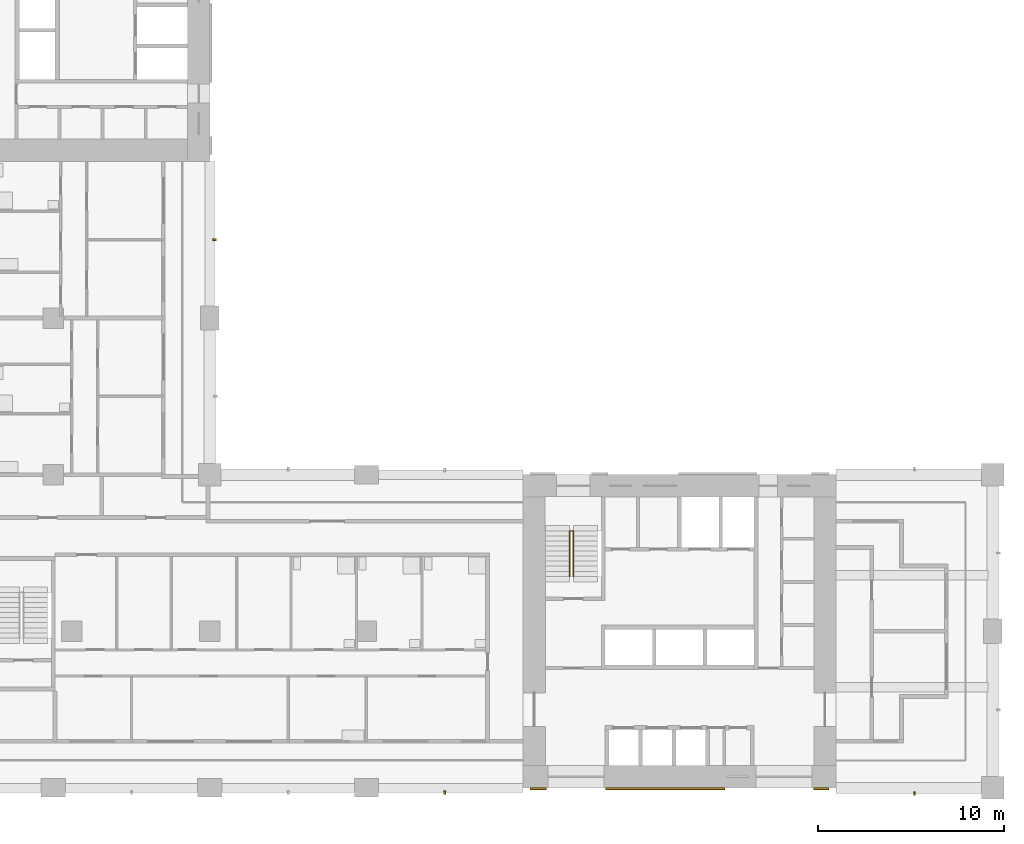
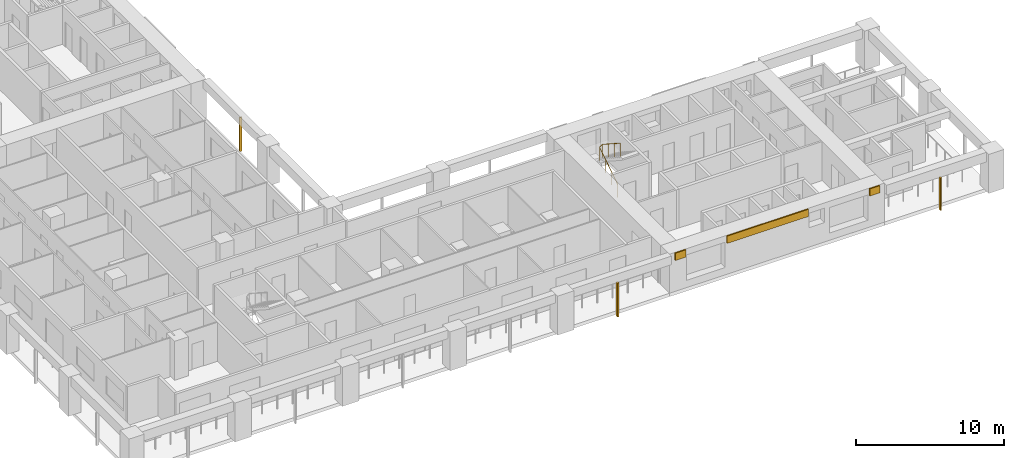
# One storey, part 12 of 17: 6 shading devices, 1 railing.
"""IFC4 building model written with IfcOpenShell, lengths in metres."""

from ifc_helpers import new_model, si_unit, direction, frame, origin, origin_2d, place, context, subcontext, project, spatial, rectangle, circle, extrude, material, layer, layer_set, material_profile, profile_set, type_object, element, save


model = new_model("IFC4")

# Units and contexts
model_context = context("Model", 3, precision=1e-05, world=origin(), true_north=direction((0.0, 1.0)))
body_context = subcontext(model_context, "Body", "Model", "MODEL_VIEW")
ifc_project = project(units=[si_unit("LENGTHUNIT", "METRE"), si_unit("AREAUNIT", "SQUARE_METRE"), si_unit("VOLUMEUNIT", "CUBIC_METRE"), si_unit("PLANEANGLEUNIT", "RADIAN"), si_unit("MASSUNIT", "GRAM", prefix="KILO")], contexts=[model_context])

# Site, building, storey
site_placement = place(None, origin())
site = spatial("IfcSite", under=ifc_project, at=site_placement, CompositionType="ELEMENT")
building_placement = place(site_placement, origin())
building = spatial("IfcBuilding", under=site, at=building_placement, Name="Vermilion Gate Residences", CompositionType="ELEMENT")
storey_placement = place(building_placement, frame((0.0, 0.0, 98.699951171875)))
storey = spatial("IfcBuildingStorey", under=building, at=storey_placement, Name="L24", CompositionType="ELEMENT", Elevation=98.699951171875)

# Railing
ifc_material_1 = material(Name="Steel S355", Category="steel")
railing_type = type_object("IfcRailingType", Name="STAIR GUARD 1100 STEEL", PredefinedType="GUARDRAIL", material=ifc_material_1)
railing_placement = place(storey_placement, frame((44.5, 19.75, 0.175048828125)))
element("IfcRailing", 1, at=railing_placement, inside=storey, type_object=railing_type, Name="Stair well guard STA1-24", PredefinedType="GUARDRAIL", context=body_context, shape_type="SweptSolid", body=[
    extrude(circle(Radius=0.02392578125, at=origin_2d()), frame((0.0, 0.0, 1.076171875), z_axis=(0.0, 0.839153699163, 0.543894354798), x_axis=(-1.0, 0.0, 0.0)), (0.0, 0.0, 1.0), 2.895751953125),
    extrude(circle(Radius=0.02392578125, at=origin_2d()), frame((0.0, 2.429931640625, 2.65087890625), z_axis=(0.752405939678, 0.0, 0.658699705433), x_axis=(0.0, 1.0, 0.0)), (0.0, 0.0, 1.0), 0.265869140625),
    extrude(circle(Radius=0.02392578125, at=origin_2d()), frame((0.199951171875, 2.429931640625, 2.826171875), z_axis=(0.0, -0.839153699163, 0.543894354798), x_axis=(1.0, 0.0, 0.0)), (0.0, 0.0, 1.0), 2.895751953125),
    extrude(circle(Radius=0.02099609375, at=origin_2d()), origin(), (0.0, 0.0, 1.0), 1.052001953125),
    extrude(circle(Radius=0.02099609375, at=origin_2d()), frame((0.0, 0.81005859375, 0.52490234375)), (0.0, 0.0, 1.0), 1.052001953125),
    extrude(circle(Radius=0.02099609375, at=origin_2d()), frame((0.0, 1.619873046875, 1.050048828125)), (0.0, 0.0, 1.0), 1.052001953125),
    extrude(circle(Radius=0.02099609375, at=origin_2d()), frame((0.0, 2.429931640625, 1.574951171875)), (0.0, 0.0, 1.0), 1.052001953125),
    extrude(circle(Radius=0.02099609375, at=origin_2d()), frame((0.199951171875, 2.429931640625, 1.75)), (0.0, 0.0, 1.0), 1.052001953125),
    extrude(circle(Radius=0.02099609375, at=origin_2d()), frame((0.199951171875, 1.619873046875, 2.27490234375)), (0.0, 0.0, 1.0), 1.052001953125),
    extrude(circle(Radius=0.02099609375, at=origin_2d()), frame((0.199951171875, 0.81005859375, 2.800048828125)), (0.0, 0.0, 1.0), 1.052001953125),
    extrude(circle(Radius=0.02099609375, at=origin_2d()), frame((0.199951171875, 0.0, 3.324951171875)), (0.0, 0.0, 1.0), 1.052001953125),
])

# Shading devices
ifc_material_2 = material(Name="Extruded terracotta", Category="masonry")
ifc_material_profile = material_profile(ifc_material_2, rectangle(XDim=0.199951171875, YDim=0.10009765625, at=origin_2d()), Name="BAGUETTE 100 X 200")
ifc_profile_set = profile_set([ifc_material_profile], Name="Extruded terracotta")
shading_device_type_1 = type_object("IfcShadingDeviceType", Name="TERRACOTTA BAGUETTE 100 X 200", PredefinedType="JALOUSIE", material=ifc_profile_set)
shading_device_1_placement = place(storey_placement, frame((37.800048828125, 8.14990234375, -0.280029296875), z_axis=(0.0, 0.0, 1.0), x_axis=(0.0, 1.0, 0.0)))
element("IfcShadingDevice", 2, at=shading_device_1_placement, inside=storey, type_object=shading_device_type_1, Name="BAGUETTE", PredefinedType="JALOUSIE", context=body_context, shape_type="SweptSolid", body=[
    extrude(rectangle(XDim=0.199951171875, YDim=0.10009765625, at=origin_2d()), origin(), (0.0, 0.0, 1.0), 2.800048828125),
])
shading_device_2_placement = place(storey_placement, frame((63.0, 8.10009765625, -0.280029296875), z_axis=(0.0, 0.0, 1.0), x_axis=(0.0, 1.0, 0.0)))
element("IfcShadingDevice", 3, at=shading_device_2_placement, inside=storey, type_object=shading_device_type_1, Name="BAGUETTE", PredefinedType="JALOUSIE", context=body_context, shape_type="SweptSolid", body=[
    extrude(rectangle(XDim=0.199951171875, YDim=0.10009765625, at=origin_2d()), origin(), (0.0, 0.0, 1.0), 2.7001953125),
])
shading_device_3_placement = place(storey_placement, frame((25.449951171875, 37.800048828125, -0.280029296875), z_axis=(0.0, 0.0, 1.0), x_axis=(-1.0, 0.0, 0.0)))
element("IfcShadingDevice", 4, at=shading_device_3_placement, inside=storey, type_object=shading_device_type_1, Name="BAGUETTE", PredefinedType="JALOUSIE", context=body_context, shape_type="SweptSolid", body=[
    extrude(rectangle(XDim=0.199951171875, YDim=0.10009765625, at=origin_2d()), origin(), (0.0, 0.0, 1.0), 2.800048828125),
])
ifc_material_3 = material(Name="Extruded terracotta", Category="masonry")
ifc_layer = layer(ifc_material_3, 0.10009765625)
ifc_layer_set = layer_set([ifc_layer], Name="TERRACOTTA SPANDREL BAND 600 X 100")
shading_device_type_2 = type_object("IfcShadingDeviceType", Name="TERRACOTTA SPANDREL BAND 600 X 100", PredefinedType="USERDEFINED", material=ifc_layer_set)
shading_device_4_placement = place(storey_placement, frame((42.824951171875, 8.35009765625, 2.6201171875), z_axis=(0.0, 0.0, 1.0), x_axis=(1.0, 0.0, 0.0)))
element("IfcShadingDevice", 5, at=shading_device_4_placement, inside=storey, type_object=shading_device_type_2, Name="SPANDREL BAND", ObjectType="BAND", PredefinedType="USERDEFINED", context=body_context, shape_type="SweptSolid", body=[
    extrude(rectangle(XDim=0.85009765625, YDim=0.10009765625, at=origin_2d()), origin(), (0.0, 0.0, 1.0), 0.60009765625),
])
shading_device_5_placement = place(storey_placement, frame((49.6337890625, 8.35009765625, 2.6201171875), z_axis=(0.0, 0.0, 1.0), x_axis=(1.0, 0.0, 0.0)))
element("IfcShadingDevice", 6, at=shading_device_5_placement, inside=storey, type_object=shading_device_type_2, Name="SPANDREL BAND", ObjectType="BAND", PredefinedType="USERDEFINED", context=body_context, shape_type="SweptSolid", body=[
    extrude(rectangle(XDim=6.367431640625, YDim=0.10009765625, at=origin_2d()), origin(), (0.0, 0.0, 1.0), 0.60009765625),
])
shading_device_6_placement = place(storey_placement, frame((58.0, 8.35009765625, 2.6201171875), z_axis=(0.0, 0.0, 1.0), x_axis=(1.0, 0.0, 0.0)))
element("IfcShadingDevice", 7, at=shading_device_6_placement, inside=storey, type_object=shading_device_type_2, Name="SPANDREL BAND", ObjectType="BAND", PredefinedType="USERDEFINED", context=body_context, shape_type="SweptSolid", body=[
    extrude(rectangle(XDim=0.800048828125, YDim=0.10009765625, at=origin_2d()), origin(), (0.0, 0.0, 1.0), 0.60009765625),
])

save(model, "model.ifc")
